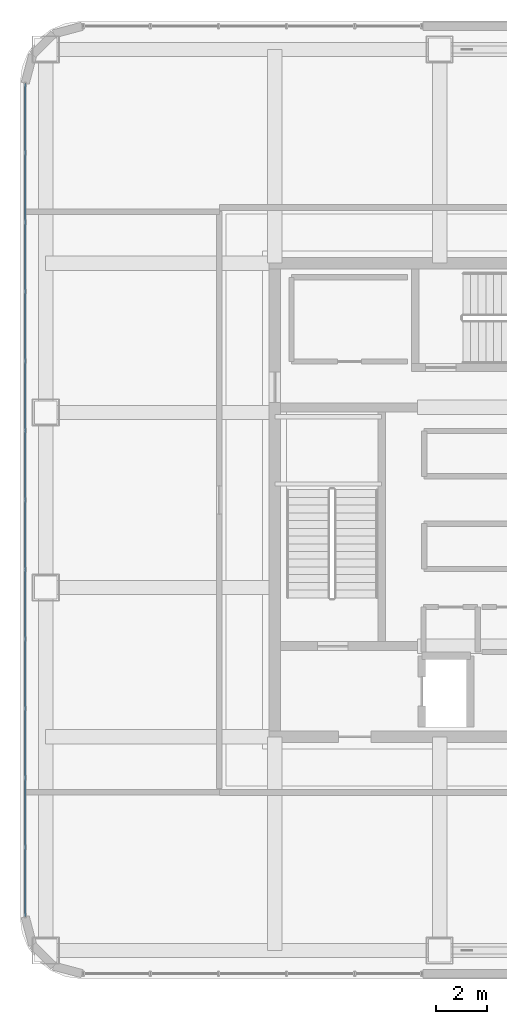
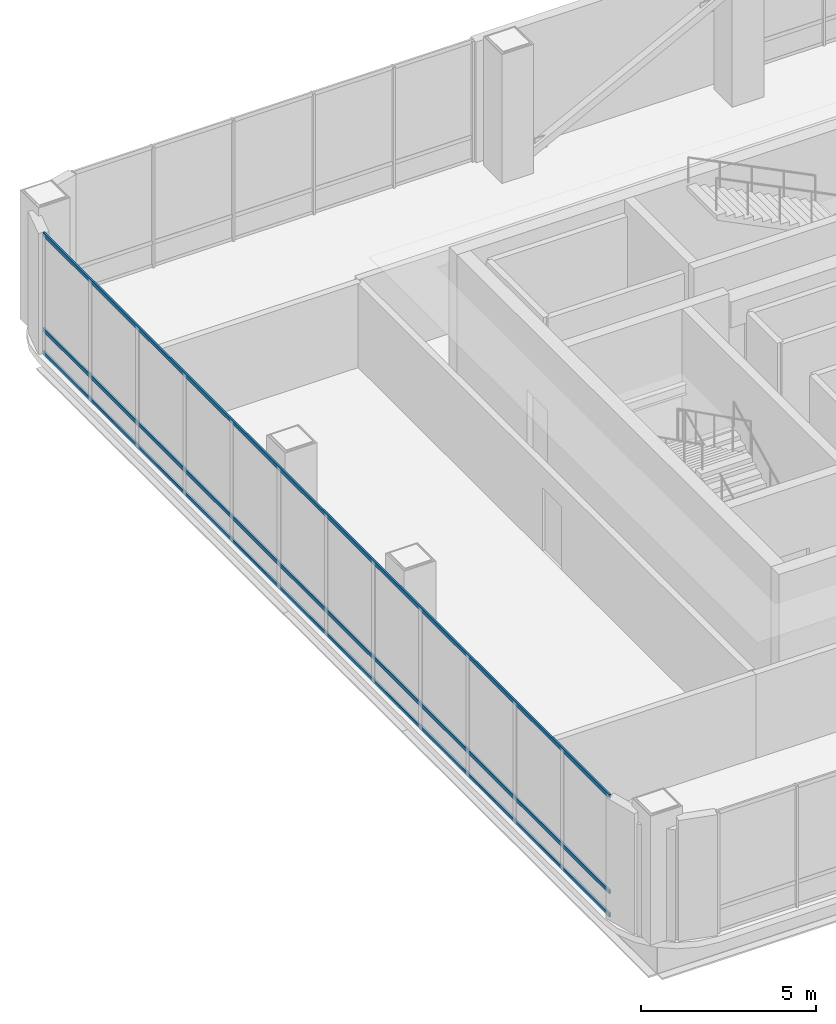
# One storey, part 10 of 33: 3 members, 1 element without a shape of its own.
"""IFC4 building model written with IfcOpenShell, lengths in metres."""

from ifc_helpers import new_model, si_unit, direction, frame, origin, origin_2d, place, context, subcontext, project, spatial, hollow_rectangle, extrude, material, material_profile, profile_set, type_object, element, aggregate, save


model = new_model("IFC4")

# Units and contexts
model_context = context("Model", 3, precision=1e-05, world=origin(), true_north=direction((0.0, 1.0)))
body_context = subcontext(model_context, "Body", "Model", "MODEL_VIEW")
ifc_project = project(units=[si_unit("LENGTHUNIT", "METRE"), si_unit("AREAUNIT", "SQUARE_METRE"), si_unit("VOLUMEUNIT", "CUBIC_METRE"), si_unit("PLANEANGLEUNIT", "RADIAN"), si_unit("MASSUNIT", "GRAM", prefix="KILO")], contexts=[model_context])

# Site, building, storey
site_placement = place(None, origin())
site = spatial("IfcSite", under=ifc_project, at=site_placement, CompositionType="ELEMENT")
building_placement = place(site_placement, origin())
building = spatial("IfcBuilding", under=site, at=building_placement, Name="Punatoya Terracotta Tower", CompositionType="ELEMENT")
storey_placement = place(building_placement, frame((0.0, 0.0, 348.300048828125)))
storey = spatial("IfcBuildingStorey", under=building, at=storey_placement, Name="L82", CompositionType="ELEMENT", Elevation=348.300048828125)

# Curtain wall, members
ifc_material_1 = material(Name="Aluminium 6063-T6 + Double Low-E Glass", Category="aluminium")
curtain_wall_type = type_object("IfcCurtainWallType", Name="CW-CRN", PredefinedType="NOTDEFINED", material=ifc_material_1)
curtain_wall_placement = place(storey_placement, origin())
curtain_wall = element("IfcCurtainWall", 1, at=curtain_wall_placement, inside=storey, type_object=curtain_wall_type, Name="L82 Curtain Wall CW-L82-W13-1", PredefinedType="NOTDEFINED")
ifc_material_2 = material(Name="Aluminium 6063-T6", Category="aluminium")
ifc_material_profile = material_profile(ifc_material_2, hollow_rectangle(XDim=0.06201171875, YDim=0.135009765625, WallThickness=0.00390625, at=origin_2d()))
ifc_profile_set = profile_set([ifc_material_profile], Name="Aluminium 6063-T6")
member_type = type_object("IfcMemberType", Name="CW-TRN-CRN", PredefinedType="USERDEFINED", material=ifc_profile_set)
member_1_placement = place(storey_placement, frame((-19.89990234375, 16.18701171875, 0.0400390625), z_axis=(0.0, -1.0, 0.0), x_axis=(1.0, 0.0, 0.0)))
member_1 = element("IfcMember", 2, at=member_1_placement, type_object=member_type, Name="CW-L82-W13-1 Transom 1", ObjectType="TRANSOM", PredefinedType="USERDEFINED", context=body_context, shape_type="SweptSolid", body=[
    extrude(hollow_rectangle(XDim=0.06201171875, YDim=0.135009765625, WallThickness=0.00390625, at=origin_2d()), origin(), (0.0, 0.0, 1.0), 32.3740234375),
])
member_2_placement = place(storey_placement, frame((-19.89990234375, 16.18701171875, 0.849853515625), z_axis=(0.0, -1.0, 0.0), x_axis=(1.0, 0.0, 0.0)))
member_2 = element("IfcMember", 3, at=member_2_placement, type_object=member_type, Name="CW-L82-W13-1 Transom 2", ObjectType="TRANSOM", PredefinedType="USERDEFINED", context=body_context, shape_type="SweptSolid", body=[
    extrude(hollow_rectangle(XDim=0.06201171875, YDim=0.135009765625, WallThickness=0.00390625, at=origin_2d()), origin(), (0.0, 0.0, 1.0), 32.3740234375),
])
member_3_placement = place(storey_placement, frame((-19.89990234375, 16.18701171875, 4.179931640625), z_axis=(0.0, -1.0, 0.0), x_axis=(1.0, 0.0, 0.0)))
member_3 = element("IfcMember", 4, at=member_3_placement, type_object=member_type, Name="CW-L82-W13-1 Transom 3", ObjectType="TRANSOM", PredefinedType="USERDEFINED", context=body_context, shape_type="SweptSolid", body=[
    extrude(hollow_rectangle(XDim=0.06201171875, YDim=0.135009765625, WallThickness=0.00390625, at=origin_2d()), origin(), (0.0, 0.0, 1.0), 32.3740234375),
])
aggregate(curtain_wall, [member_1, member_2, member_3])

save(model, "model.ifc")
